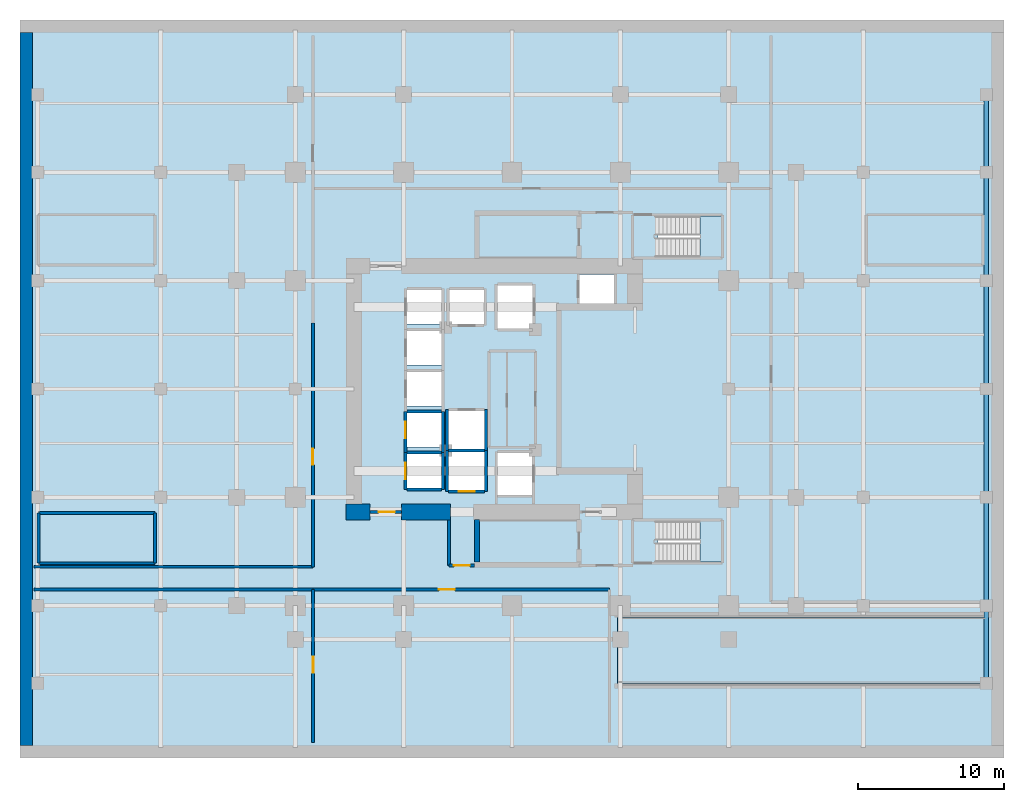
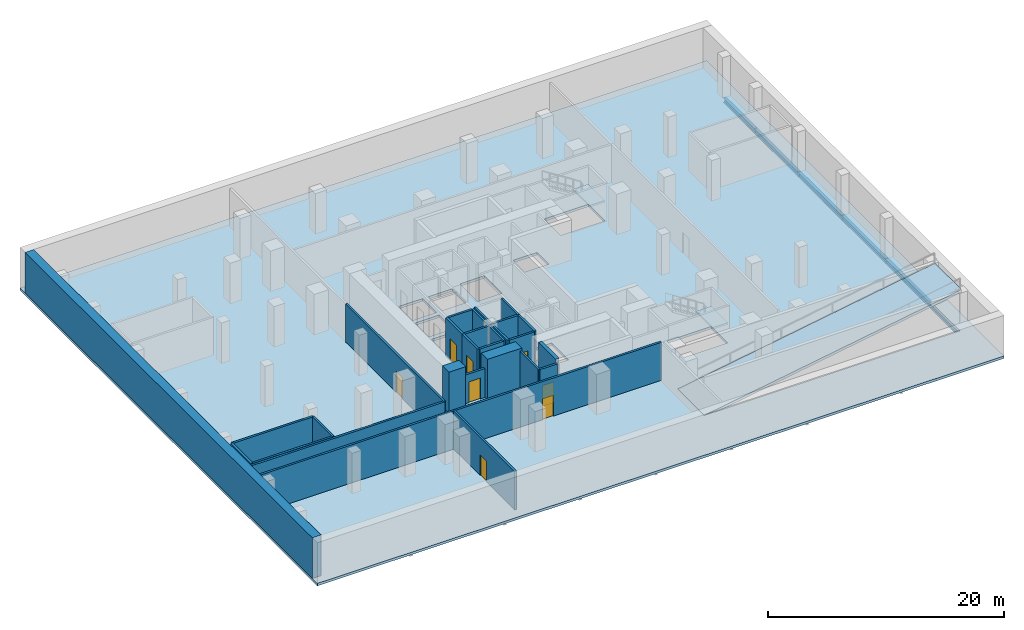
# One storey, part 3 of 7: 29 walls, 8 doors, 6 beams, 4 slabs, 8 openings, 2 elements without a shape of their own.
"""IFC4 building model written with IfcOpenShell, lengths in metres."""

import ifcopenshell
import ifcopenshell.guid

model = None  # the IFC model being written
_history = None  # IfcOwnerHistory: only IFC2X3 demands one
_inside = {}  # id of a spatial element -> (the spatial element, [elements in it])
_under = {}  # id of a project, library or spatial element -> (it, [spatial elements below it])
_declared = {}  # id of a project -> (the project, [libraries it declares])
_typed = {}  # id of a type object -> (the type object, [elements of that type])
_made_of = {}  # id of a material, layer set ... -> (it, [elements and type objects made of it])


def new_model(schema):
    """Start an empty IFC model of exactly this schema.

    Asked for "IFC4X3", IfcOpenShell would pick the latest addendum, in which some entities
    have other attributes; the version numbers below select the first issue.
    IFC2X3 requires an IfcOwnerHistory on every rooted entity: one is made here for all.
    """
    global model, _history
    if schema == "IFC4X3":
        model = ifcopenshell.file(schema_version=(4, 3, 0, 0))
    else:
        model = ifcopenshell.file(schema=schema)
    _inside.clear()
    _under.clear()
    _declared.clear()
    _typed.clear()
    _made_of.clear()
    _history = None
    if model.schema == "IFC2X3":
        org = make("IfcOrganization", Name="unknown")
        user = make(
            "IfcPersonAndOrganization",
            ThePerson=make("IfcPerson", FamilyName="unknown"),
            TheOrganization=org,
        )
        app = make(
            "IfcApplication",
            ApplicationDeveloper=org,
            Version="unknown",
            ApplicationFullName="unknown",
            ApplicationIdentifier="unknown",
        )
        _history = make(
            "IfcOwnerHistory",
            OwningUser=user,
            OwningApplication=app,
            ChangeAction="ADDED",
            CreationDate=0,
        )
    return model


def make(cls, **values):
    """One entity of the class cls with the attributes given. An attribute that is None is left unset."""
    return model.create_entity(
        cls, **{name: value for name, value in values.items() if value is not None}
    )


def rooted(cls, **values):
    """An entity with a GlobalId (a new one), such as an element, a storey or a relation."""
    return make(cls, GlobalId=ifcopenshell.guid.new(), OwnerHistory=_history, **values)


def si_unit(unit_type, name, prefix=None):
    """IfcSIUnit, for example si_unit("LENGTHUNIT", "METRE", prefix="MILLI")."""
    return make("IfcSIUnit", UnitType=unit_type, Prefix=prefix, Name=name)


def assignment(units):
    """IfcUnitAssignment: the units of a project."""
    return None if units is None else make("IfcUnitAssignment", Units=units)


def point(xyz):
    """IfcCartesianPoint."""
    return None if xyz is None else make("IfcCartesianPoint", Coordinates=xyz)


def direction(xyz):
    """IfcDirection."""
    return None if xyz is None else make("IfcDirection", DirectionRatios=xyz)


def frame(location, z_axis=None, x_axis=None):
    """IfcAxis2Placement3D, a coordinate frame: its origin and axes. An axis left out is left unset."""
    return make(
        "IfcAxis2Placement3D",
        Location=point(location),
        Axis=direction(z_axis),
        RefDirection=direction(x_axis),
    )


def frame_2d(location, x_axis=None):
    """IfcAxis2Placement2D, a coordinate frame in the plane: its origin and x axis."""
    return make(
        "IfcAxis2Placement2D", Location=point(location), RefDirection=direction(x_axis)
    )


def origin():
    """The frame at (0, 0, 0) with its axes left unset."""
    return frame((0.0, 0.0, 0.0))


def origin_2d():
    """The frame at (0, 0) in the plane with its x axis left unset."""
    return frame_2d((0.0, 0.0))


def place(relative_to, where):
    """IfcLocalPlacement: puts the frame where relative to a parent placement (None: the world)."""
    return make(
        "IfcLocalPlacement", PlacementRelTo=relative_to, RelativePlacement=where
    )


def context(
    kind, dimensions, precision=None, world=None, true_north=None, identifier=None
):
    """IfcGeometricRepresentationContext, for example the 3D "Model" context."""
    return make(
        "IfcGeometricRepresentationContext",
        ContextIdentifier=identifier,
        ContextType=kind,
        CoordinateSpaceDimension=dimensions,
        Precision=precision,
        WorldCoordinateSystem=world,
        TrueNorth=true_north,
    )


def subcontext(parent, identifier, kind, view, scale=None):
    """IfcGeometricRepresentationSubContext, for example "Body" below "Model"."""
    return make(
        "IfcGeometricRepresentationSubContext",
        ContextIdentifier=identifier,
        ContextType=kind,
        ParentContext=parent,
        TargetScale=scale,
        TargetView=view,
    )


def project(units=None, contexts=None):
    """IfcProject with its units and contexts."""
    return rooted(
        "IfcProject",
        Name="project",
        RepresentationContexts=contexts,
        UnitsInContext=assignment(units),
    )


def spatial(cls, under=None, at=None, **own):
    """A site, building, storey or space (cls), placed at a placement, below another one or the project."""
    s = rooted(cls, ObjectPlacement=at, **own)
    if under is not None:
        _under.setdefault(under.id(), (under, []))[1].append(s)
    return s


def polyline(points):
    """IfcPolyline through the points."""
    return make("IfcPolyline", Points=[point(p) for p in points])


def profile(cls, at=None, kind="AREA", **sizes):
    """A parametric profile (cls). Its sizes go by their IFC names, for example OverallWidth=200.0."""
    return make(cls, ProfileType=kind, Position=at, **sizes)


def rectangle(**sizes):
    """IfcRectangleProfileDef."""
    return profile("IfcRectangleProfileDef", **sizes)


def i_section(**sizes):
    """IfcIShapeProfileDef."""
    return profile("IfcIShapeProfileDef", **sizes)


def outline(outer, holes=None, kind="AREA"):
    """IfcArbitraryClosedProfileDef: a profile drawn as a closed curve; with holes, ...WithVoids."""
    if holes is None:
        return make("IfcArbitraryClosedProfileDef", ProfileType=kind, OuterCurve=outer)
    return make(
        "IfcArbitraryProfileDefWithVoids",
        ProfileType=kind,
        OuterCurve=outer,
        InnerCurves=holes,
    )


def extrude(swept, where, along, depth):
    """IfcExtrudedAreaSolid: the profile swept, set in the frame where, extruded along a direction by depth."""
    return make(
        "IfcExtrudedAreaSolid",
        SweptArea=swept,
        Position=where,
        ExtrudedDirection=direction(along),
        Depth=depth,
    )


def shape(context_of_items, identifier, shape_type, items):
    """IfcShapeRepresentation: the items that make up one representation, for example the "Body"."""
    return make(
        "IfcShapeRepresentation",
        ContextOfItems=context_of_items,
        RepresentationIdentifier=identifier,
        RepresentationType=shape_type,
        Items=items,
    )


def material(Name=None, Category=None):
    """IfcMaterial."""
    return make("IfcMaterial", Name=Name, Category=Category)


def layer(
    of_material, thickness, ventilated=None, Name=None, Category=None, Priority=None
):
    """IfcMaterialLayer: one layer of a wall or slab, of a material (None: an air gap)."""
    return make(
        "IfcMaterialLayer",
        Material=of_material,
        LayerThickness=thickness,
        IsVentilated=ventilated,
        Name=Name,
        Category=Category,
        Priority=Priority,
    )


def layer_set(layers, Name=None):
    """IfcMaterialLayerSet."""
    return make("IfcMaterialLayerSet", MaterialLayers=layers, LayerSetName=Name)


def material_profile(
    of_material, cross_section, Name=None, Category=None, Priority=None
):
    """IfcMaterialProfile: a cross section and its material."""
    return make(
        "IfcMaterialProfile",
        Name=Name,
        Material=of_material,
        Profile=cross_section,
        Priority=Priority,
        Category=Category,
    )


def profile_set(profiles, Name=None, composite=None):
    """IfcMaterialProfileSet."""
    return make(
        "IfcMaterialProfileSet",
        Name=Name,
        MaterialProfiles=profiles,
        CompositeProfile=composite,
    )


def made_of(thing, what):
    """Note that an element or type object is made of a material, layer set ...; save() writes the relation."""
    if what is not None:
        _made_of.setdefault(what.id(), (what, []))[1].append(thing)
    return thing


def type_object(cls, material=None, **own):
    """A type object (cls), such as IfcWallType, which elements share."""
    return made_of(rooted(cls, **own), material)


def element(
    cls,
    number,
    at=None,
    inside=None,
    cuts=None,
    type_object=None,
    material=None,
    context=None,
    identifier="Body",
    shape_type=None,
    held_by="IfcProductDefinitionShape",
    body=None,
    shapes=None,
    **own,
):
    """One element of the class cls, such as IfcWall. Its Tag is "e" and its number.

    at: its placement. inside: the storey or other place that contains it. cuts: it is an
    opening in that element (IfcRelVoidsElement). A single representation is given by context,
    identifier, shape_type and body (its items); several are given by shapes. held_by: the class
    of the entity that holds the representations. save() writes the other relations.
    """
    e = rooted(cls, Tag="e%d" % number, ObjectPlacement=at, **own)
    if body is not None:
        shapes = [shape(context, identifier, shape_type, body)]
    if shapes is not None:
        e.Representation = make(held_by, Representations=shapes)
    if inside is not None:
        _inside.setdefault(inside.id(), (inside, []))[1].append(e)
    if cuts is not None:
        rooted(
            "IfcRelVoidsElement", RelatingBuildingElement=cuts, RelatedOpeningElement=e
        )
    if type_object is not None:
        _typed.setdefault(type_object.id(), (type_object, []))[1].append(e)
    return made_of(e, material)


def fill(opening, filler):
    """IfcRelFillsElement: the door or window that sits in an opening."""
    return rooted(
        "IfcRelFillsElement",
        RelatingOpeningElement=opening,
        RelatedBuildingElement=filler,
    )


def aggregate(whole, parts):
    """IfcRelAggregates: a whole, such as a stair, and the parts it consists of."""
    return rooted("IfcRelAggregates", RelatingObject=whole, RelatedObjects=parts)


def save(model, path):
    """Write the relations noted so far, then the file.

    IfcRelAggregates (storeys below a building ...), IfcRelContainedInSpatialStructure (elements
    in a storey), IfcRelDefinesByType, IfcRelAssociatesMaterial and IfcRelDeclares: one each for
    every whole, place, type object, material and project.
    """
    for whole, parts in _under.values():
        aggregate(whole, parts)
    for where, things in _inside.values():
        rooted(
            "IfcRelContainedInSpatialStructure",
            RelatedElements=things,
            RelatingStructure=where,
        )
    for kind, things in _typed.values():
        rooted("IfcRelDefinesByType", RelatedObjects=things, RelatingType=kind)
    for what, things in _made_of.values():
        rooted("IfcRelAssociatesMaterial", RelatedObjects=things, RelatingMaterial=what)
    for by, libraries in _declared.values():
        rooted("IfcRelDeclares", RelatingContext=by, RelatedDefinitions=libraries)
    model.write(path)


model = new_model("IFC4")

# Units and contexts
model_context = context("Model", 3, precision=1e-05, world=origin(), true_north=direction((0.0, 1.0)))
body_context = subcontext(model_context, "Body", "Model", "MODEL_VIEW")
ifc_project = project(units=[si_unit("LENGTHUNIT", "METRE"), si_unit("AREAUNIT", "SQUARE_METRE"), si_unit("VOLUMEUNIT", "CUBIC_METRE"), si_unit("PLANEANGLEUNIT", "RADIAN"), si_unit("MASSUNIT", "GRAM", prefix="KILO")], contexts=[model_context])

# Site, building, storey
site_placement = place(None, origin())
site = spatial("IfcSite", under=ifc_project, at=site_placement, CompositionType="ELEMENT")
building_placement = place(site_placement, origin())
building = spatial("IfcBuilding", under=site, at=building_placement, Name="Khorvyn Point Tower", CompositionType="ELEMENT")
storey_placement = place(building_placement, frame((0.0, 0.0, -8.39990234375)))
storey = spatial("IfcBuildingStorey", under=building, at=storey_placement, Name="B2", CompositionType="ELEMENT", Elevation=-8.39990234375)

# Beams
ifc_material_1 = material(Name="Steel S355", Category="steel")
ifc_material_profile = material_profile(ifc_material_1, i_section(OverallWidth=0.300048828125, OverallDepth=0.488037109375, WebThickness=0.010986328125, FlangeThickness=0.01806640625, at=origin_2d()))
ifc_profile_set = profile_set([ifc_material_profile], Name="Steel S355 H488x300x11x18")
beam_type = type_object("IfcBeamType", Name="Steel S355 Spandrel H488x300x11x18", PredefinedType="SPANDREL", material=ifc_profile_set)
beam_1_placement = place(storey_placement, frame((32.39990234375, -20.10009765625, -0.5390625), z_axis=(0.0, 1.0, 0.0), x_axis=(-1.0, 0.0, 0.0)))
element("IfcBeam", 1, at=beam_1_placement, inside=storey, type_object=beam_type, Name="Beam", PredefinedType="SPANDREL", context=body_context, shape_type="SweptSolid", body=[
    extrude(i_section(OverallWidth=0.300048828125, OverallDepth=0.488037109375, WebThickness=0.010986328125, FlangeThickness=0.01806640625, at=origin_2d()), origin(), (0.0, 0.0, 1.0), 5.300048828125),
])
beam_2_placement = place(storey_placement, frame((32.39990234375, -14.800048828125, -0.504150390625), z_axis=(0.0, 1.0, 0.0), x_axis=(-1.0, 0.0, 0.0)))
element("IfcBeam", 2, at=beam_2_placement, inside=storey, type_object=beam_type, Name="Beam", PredefinedType="SPANDREL", context=body_context, shape_type="SweptSolid", body=[
    extrude(i_section(OverallWidth=0.300048828125, OverallDepth=0.488037109375, WebThickness=0.010986328125, FlangeThickness=0.01806640625, at=origin_2d()), origin(), (0.0, 0.0, 1.0), 7.400146484375),
])
for number, where, z_axis, x_axis, name in (
    (3, (32.39990234375, -7.39990234375, -0.504150390625), (0.0, 1.0, 0.0), (-1.0, 0.0, 0.0), "Beam"),
    (4, (32.39990234375, 0.0, -0.504150390625), (0.0, 1.0, 0.0), (-1.0, 0.0, 0.0), "Beam"),
):
    element("IfcBeam", number, at=place(storey_placement, frame(where, z_axis=z_axis, x_axis=x_axis)), inside=storey, type_object=beam_type, Name=name, PredefinedType="SPANDREL", context=body_context, shape_type="SweptSolid", body=[
        extrude(i_section(OverallWidth=0.300048828125, OverallDepth=0.488037109375, WebThickness=0.010986328125, FlangeThickness=0.01806640625, at=origin_2d()), origin(), (0.0, 0.0, 1.0), 7.39990234375),
    ])
beam_3_placement = place(storey_placement, frame((32.39990234375, 7.39990234375, -0.504150390625), z_axis=(0.0, 1.0, 0.0), x_axis=(-1.0, 0.0, 0.0)))
element("IfcBeam", 5, at=beam_3_placement, inside=storey, type_object=beam_type, Name="Beam", PredefinedType="SPANDREL", context=body_context, shape_type="SweptSolid", body=[
    extrude(i_section(OverallWidth=0.300048828125, OverallDepth=0.488037109375, WebThickness=0.010986328125, FlangeThickness=0.01806640625, at=origin_2d()), origin(), (0.0, 0.0, 1.0), 7.400146484375),
])
beam_4_placement = place(storey_placement, frame((32.39990234375, 14.800048828125, -0.504150390625), z_axis=(0.0, 1.0, 0.0), x_axis=(-1.0, 0.0, 0.0)))
element("IfcBeam", 6, at=beam_4_placement, inside=storey, type_object=beam_type, Name="Beam", PredefinedType="SPANDREL", context=body_context, shape_type="SweptSolid", body=[
    extrude(i_section(OverallWidth=0.300048828125, OverallDepth=0.488037109375, WebThickness=0.010986328125, FlangeThickness=0.01806640625, at=origin_2d()), origin(), (0.0, 0.0, 1.0), 5.300048828125),
])

# Slab
ifc_material_2 = material(Name="Concrete C35/45", Category="concrete")
ifc_layer_1 = layer(ifc_material_2, 0.260009765625)
ifc_layer_set_1 = layer_set([ifc_layer_1], Name="Concrete C35/45 Structural Floor Slab 260")
slab_type_1 = type_object("IfcSlabType", Name="Concrete C35/45 Structural Floor Slab 260", PredefinedType="FLOOR", material=ifc_layer_set_1)
slab_1_placement = place(storey_placement, frame((0.0, 0.0, -0.260009765625)))
element("IfcSlab", 7, at=slab_1_placement, inside=storey, type_object=slab_type_1, Name="B2 Main Structural Floor Slab", PredefinedType="FLOOR", context=body_context, shape_type="SweptSolid", body=[
    extrude(outline(polyline([(-33.60009765625, 25.199951171875), (33.60009765625, 25.199951171875), (33.60009765625, -25.199951171875), (-33.60009765625, -25.199951171875), (-33.60009765625, 25.199951171875)]), holes=[polyline([(-4.824951171875, -6.77490234375), (-4.824951171875, -4.425048828125), (-7.175048828125, -4.425048828125), (-7.175048828125, -6.77490234375), (-4.824951171875, -6.77490234375)]), polyline([(-4.324951171875, -6.89990234375), (-1.875, -6.89990234375), (-1.875, -4.300048828125), (-4.324951171875, -4.300048828125), (-4.324951171875, -6.89990234375)]), polyline([(-7.175048828125, -3.97509765625), (-4.824951171875, -3.97509765625), (-4.824951171875, -1.625), (-7.175048828125, -1.625), (-7.175048828125, -3.97509765625)]), polyline([(-7.175048828125, -1.175048828125), (-4.824951171875, -1.175048828125), (-4.824951171875, 1.175048828125), (-7.175048828125, 1.175048828125), (-7.175048828125, -1.175048828125)]), polyline([(-7.175048828125, 1.625), (-4.824951171875, 1.625), (-4.824951171875, 3.97509765625), (-7.175048828125, 3.97509765625), (-7.175048828125, 1.625)]), polyline([(-7.175048828125, 4.425048828125), (-4.824951171875, 4.425048828125), (-4.824951171875, 6.77490234375), (-7.175048828125, 6.77490234375), (-7.175048828125, 4.425048828125)]), polyline([(-4.27490234375, 4.425048828125), (-1.925048828125, 4.425048828125), (-1.925048828125, 6.77490234375), (-4.27490234375, 6.77490234375), (-4.27490234375, 4.425048828125)]), polyline([(32.219970703125, -20.10009765625), (32.219970703125, -15.60009765625), (7.39990234375, -15.60009765625), (7.39990234375, -20.10009765625), (32.219970703125, -20.10009765625)]), polyline([(9.969970703125, -11.820068359375), (14.300048828125, -11.820068359375), (14.300048828125, -9.02001953125), (9.969970703125, -9.02001953125), (9.969970703125, -11.820068359375)]), polyline([(-0.97509765625, -7.22509765625), (1.375, -7.22509765625), (1.375, -4.375), (-0.97509765625, -4.375), (-0.97509765625, -7.22509765625)]), polyline([(-4.324951171875, -4.10009765625), (-1.875, -4.10009765625), (-1.875, -1.5), (-4.324951171875, -1.5), (-4.324951171875, -4.10009765625)]), polyline([(-1.0, 4.125), (1.39990234375, 4.125), (1.39990234375, 7.074951171875), (-1.0, 7.074951171875), (-1.0, 4.125)]), polyline([(4.625, 5.85009765625), (6.97509765625, 5.85009765625), (6.97509765625, 7.830078125), (4.625, 7.830078125), (4.625, 5.85009765625)]), polyline([(9.969970703125, 9.02001953125), (14.300048828125, 9.02001953125), (14.300048828125, 11.820068359375), (9.969970703125, 11.820068359375), (9.969970703125, 9.02001953125)])]), origin(), (0.0, 0.0, 1.0), 0.260009765625),
])

# Stair, slab
ifc_material_3 = material(Name="Concrete C40/50", Category="concrete")
stair_type = type_object("IfcStairType", Name="Tower Concrete C40/50 Dogleg Exit Stair", PredefinedType="HALF_TURN_STAIR", material=ifc_material_3)
stair_1_placement = place(storey_placement, origin())
stair_1 = element("IfcStair", 8, at=stair_1_placement, inside=storey, type_object=stair_type, Name="B2 Basement Garage Smokeproof Stair South", PredefinedType="HALF_TURN_STAIR")
ifc_layer_2 = layer(ifc_material_3, 0.199951171875)
ifc_layer_set_2 = layer_set([ifc_layer_2], Name="Concrete C40/50 Stair Landing Slab 200")
slab_type_2 = type_object("IfcSlabType", Name="Concrete C40/50 Stair Landing Slab 200", PredefinedType="LANDING", material=ifc_layer_set_2)
slab_2_placement = place(storey_placement, frame((0.0, 0.0, 1.89990234375)))
slab_2 = element("IfcSlab", 9, at=slab_2_placement, type_object=slab_type_2, Name="ST-B1 landing 1", PredefinedType="LANDING", context=body_context, shape_type="SweptSolid", body=[
    extrude(outline(polyline([(12.830078125, -11.820068359375), (14.300048828125, -11.820068359375), (14.300048828125, -9.02001953125), (12.830078125, -9.02001953125), (12.830078125, -11.820068359375)])), origin(), (0.0, 0.0, 1.0), 0.199951171875),
])
aggregate(stair_1, [slab_2])

stair_2_placement = place(storey_placement, origin())
stair_2 = element("IfcStair", 10, at=stair_2_placement, inside=storey, type_object=stair_type, Name="B2 Basement Garage Smokeproof Stair North", PredefinedType="HALF_TURN_STAIR")
slab_3_placement = place(storey_placement, frame((0.0, 0.0, 1.89990234375)))
slab_3 = element("IfcSlab", 11, at=slab_3_placement, type_object=slab_type_2, Name="ST-B2 landing 1", PredefinedType="LANDING", context=body_context, shape_type="SweptSolid", body=[
    extrude(outline(polyline([(12.830078125, 9.02001953125), (14.300048828125, 9.02001953125), (14.300048828125, 11.820068359375), (12.830078125, 11.820068359375), (12.830078125, 9.02001953125)])), origin(), (0.0, 0.0, 1.0), 0.199951171875),
])
aggregate(stair_2, [slab_3])

# Slab
ifc_layer_3 = layer(ifc_material_3, 0.280029296875)
ifc_layer_set_3 = layer_set([ifc_layer_3], Name="Concrete C40/50 Vehicle Ramp Slab 280")
slab_type_3 = type_object("IfcSlabType", Name="Concrete C40/50 Vehicle Ramp Slab 280", PredefinedType="FLOOR", material=ifc_layer_set_3)
slab_4_placement = place(storey_placement, frame((7.199951171875, -20.10009765625, 0.0), z_axis=(-0.164397437631, 0.0, 0.98639418211), x_axis=(0.98639418211, 0.0, 0.164397437631)))
element("IfcSlab", 12, at=slab_4_placement, inside=storey, type_object=slab_type_3, Name="Basement Vehicle Ramp B2 to B1", PredefinedType="FLOOR", context=body_context, shape_type="SweptSolid", body=[
    extrude(outline(polyline([(0.0, 0.0), (25.547546436223936, 0.0), (25.547546436223936, 4.500000000000001), (0.0, 4.500000000000001), (0.0, 0.0)])), origin(), (0.0, 0.0, -1.0), 0.280029296875),
])

# Wall
ifc_layer_4 = layer(ifc_material_2, 0.85009765625)
ifc_layer_set_4 = layer_set([ifc_layer_4], Name="Concrete C35/45 Basement Retaining Wall 850")
wall_type_1 = type_object("IfcWallType", Name="Concrete C35/45 Basement Retaining Wall 850", PredefinedType="SOLIDWALL", material=ifc_layer_set_4)
wall_1_placement = place(storey_placement, frame((-33.175048828125, -24.35009765625, 0.0), z_axis=(0.0, 0.0, 1.0), x_axis=(0.0, 1.0, 0.0)))
element("IfcWall", 13, at=wall_1_placement, inside=storey, type_object=wall_type_1, Name="B2 Basement Retaining Wall W", PredefinedType="SOLIDWALL", context=body_context, shape_type="SweptSolid", body=[
    extrude(rectangle(XDim=48.7001953125, YDim=0.85009765625, at=frame_2d((24.35009765625, 0.0))), origin(), (0.0, 0.0, 1.0), 4.199951171875),
])

# Wall, opening, door
ifc_material_4 = material(Name="Concrete C35/45 masonry blockwork", Category="masonry")
ifc_layer_5 = layer(ifc_material_4, 0.199951171875)
ifc_layer_set_5 = layer_set([ifc_layer_5], Name="Concrete C35/45 Blockwork Plant Compartment Wall 200")
wall_type_2 = type_object("IfcWallType", Name="Concrete C35/45 Blockwork Plant Compartment Wall 200", PredefinedType="SOLIDWALL", material=ifc_layer_set_5)
wall_2_placement = place(storey_placement, frame((-13.60009765625, -12.139892578125, 0.0), z_axis=(0.0, 0.0, 1.0), x_axis=(0.0, 1.0, 0.0)))
wall_2 = element("IfcWall", 14, at=wall_2_placement, inside=storey, type_object=wall_type_2, Name="Wall", PredefinedType="SOLIDWALL", context=body_context, shape_type="SweptSolid", body=[
    extrude(rectangle(XDim=16.639892578125, YDim=0.199951171875, at=frame_2d((8.31982421875, 0.0))), origin(), (0.0, 0.0, 1.0), 3.93994140625),
])
opening_1_placement = place(wall_2_placement, frame((6.964111328125, 0.0, 0.0)))
opening_1 = element("IfcOpeningElement", 15, at=opening_1_placement, cuts=wall_2, Name="Opening ID-FL90", PredefinedType="OPENING", context=body_context, shape_type="SweptSolid", body=[
    extrude(rectangle(XDim=1.10009765625, YDim=2.14990234375, at=frame_2d((0.550048828125, 1.074951171875))), frame((0.0, 0.10986328125, 0.0), z_axis=(0.0, -1.0, 0.0), x_axis=(1.0, 0.0, 0.0)), (0.0, 0.0, 1.0), 0.219970703125),
])
ifc_material_5 = material(Name="Galvanised powder-coated steel", Category="steel")
door_type_1 = type_object("IfcDoorType", Name="Fire-Rated Steel Lobby and Stair Door 1100x2150", OperationType="NOTDEFINED", PredefinedType="DOOR", material=ifc_material_5)
door_1_placement = place(opening_1_placement, origin())
door_1 = element("IfcDoor", 16, at=door_1_placement, inside=storey, type_object=door_type_1, Name="Door", OperationType="SINGLE_SWING_RIGHT", OverallHeight=2.14990234375, OverallWidth=1.10009765625, PredefinedType="DOOR", context=body_context, shape_type="SweptSolid", body=[
    extrude(rectangle(XDim=1.10009765625, YDim=2.14990234375, at=frame_2d((0.550048828125, 1.074951171875))), frame((0.0, 0.02490234375, 0.0), z_axis=(0.0, -1.0, 0.0), x_axis=(1.0, 0.0, 0.0)), (0.0, 0.0, 1.0), 0.050048828125),
])
fill(opening_1, door_1)

wall_3_placement = place(storey_placement, frame((-13.580078125, -24.14990234375, 0.0), z_axis=(0.0, 0.0, 1.0), x_axis=(0.0, 1.0, 0.0)))
wall_3 = element("IfcWall", 17, at=wall_3_placement, inside=storey, type_object=wall_type_2, Name="Wall", PredefinedType="SOLIDWALL", context=body_context, shape_type="SweptSolid", body=[
    extrude(rectangle(XDim=10.449951171875, YDim=0.199951171875, at=frame_2d((5.22509765625, 0.0))), origin(), (0.0, 0.0, 1.0), 3.93994140625),
])
opening_2_placement = place(wall_3_placement, frame((4.763427734375, 0.0, 0.0)))
opening_2 = element("IfcOpeningElement", 18, at=opening_2_placement, cuts=wall_3, Name="Opening ID-FL90", PredefinedType="OPENING", context=body_context, shape_type="SweptSolid", body=[
    extrude(rectangle(XDim=1.10009765625, YDim=2.14990234375, at=frame_2d((0.550048828125, 1.074951171875))), frame((0.0, 0.10986328125, 0.0), z_axis=(0.0, -1.0, 0.0), x_axis=(1.0, 0.0, 0.0)), (0.0, 0.0, 1.0), 0.219970703125),
])
door_2_placement = place(opening_2_placement, origin())
door_2 = element("IfcDoor", 19, at=door_2_placement, inside=storey, type_object=door_type_1, Name="Door", OperationType="SINGLE_SWING_RIGHT", OverallHeight=2.14990234375, OverallWidth=1.10009765625, PredefinedType="DOOR", context=body_context, shape_type="SweptSolid", body=[
    extrude(rectangle(XDim=1.10009765625, YDim=2.14990234375, at=frame_2d((0.550048828125, 1.074951171875))), frame((0.0, 0.02490234375, 0.0), z_axis=(0.0, -1.0, 0.0), x_axis=(1.0, 0.0, 0.0)), (0.0, 0.0, 1.0), 0.050048828125),
])
fill(opening_2, door_2)

wall_4_placement = place(storey_placement, frame((-13.580078125, -13.699951171875, 0.0), z_axis=(0.0, 0.0, 1.0), x_axis=(1.0, 0.0, 0.0)))
wall_4 = element("IfcWall", 20, at=wall_4_placement, inside=storey, type_object=wall_type_2, Name="Wall", PredefinedType="SOLIDWALL", context=body_context, shape_type="SweptSolid", body=[
    extrude(rectangle(XDim=20.22998046875, YDim=0.199951171875, at=frame_2d((10.114990234375, 0.0))), origin(), (0.0, 0.0, 1.0), 3.93994140625),
])
opening_3_placement = place(wall_4_placement, frame((8.57958984375, 0.0, 0.0)))
opening_3 = element("IfcOpeningElement", 21, at=opening_3_placement, cuts=wall_4, Name="Opening ID-FL90", PredefinedType="OPENING", context=body_context, shape_type="SweptSolid", body=[
    extrude(rectangle(XDim=1.10009765625, YDim=2.14990234375, at=frame_2d((0.550048828125, 1.074951171875))), frame((0.0, 0.10986328125, 0.0), z_axis=(0.0, -1.0, 0.0), x_axis=(1.0, 0.0, 0.0)), (0.0, 0.0, 1.0), 0.219970703125),
])
door_3_placement = place(opening_3_placement, origin())
door_3 = element("IfcDoor", 22, at=door_3_placement, inside=storey, type_object=door_type_1, Name="Door", OperationType="SINGLE_SWING_LEFT", OverallHeight=2.14990234375, OverallWidth=1.10009765625, PredefinedType="DOOR", context=body_context, shape_type="SweptSolid", body=[
    extrude(rectangle(XDim=1.10009765625, YDim=2.14990234375, at=frame_2d((0.550048828125, 1.074951171875))), frame((0.0, 0.02490234375, 0.0), z_axis=(0.0, -1.0, 0.0), x_axis=(1.0, 0.0, 0.0)), (0.0, 0.0, 1.0), 0.050048828125),
])
fill(opening_3, door_3)

# Walls
wall_5_placement = place(storey_placement, frame((-32.64990234375, -12.139892578125, 0.0), z_axis=(0.0, 0.0, 1.0), x_axis=(1.0, 0.0, 0.0)))
element("IfcWall", 23, at=wall_5_placement, inside=storey, type_object=wall_type_2, Name="Wall", PredefinedType="SOLIDWALL", context=body_context, shape_type="SweptSolid", body=[
    extrude(rectangle(XDim=19.0498046875, YDim=0.199951171875, at=frame_2d((9.52490234375, 0.0))), origin(), (0.0, 0.0, 1.0), 3.93994140625),
])
wall_6_placement = place(storey_placement, frame((-32.64990234375, -13.699951171875, 0.0), z_axis=(0.0, 0.0, 1.0), x_axis=(1.0, 0.0, 0.0)))
element("IfcWall", 24, at=wall_6_placement, inside=storey, type_object=wall_type_2, Name="Wall", PredefinedType="SOLIDWALL", context=body_context, shape_type="SweptSolid", body=[
    extrude(rectangle(XDim=19.06982421875, YDim=0.199951171875, at=frame_2d((9.534912109375, 0.0))), origin(), (0.0, 0.0, 1.0), 3.93994140625),
])

# Wall, opening, door
ifc_layer_6 = layer(ifc_material_3, 0.199951171875)
ifc_layer_set_6 = layer_set([ifc_layer_6], Name="Concrete C40/50 Fire-Lobby Compartment Wall 200")
wall_type_3 = type_object("IfcWallType", Name="Concrete C40/50 Fire-Lobby Compartment Wall 200", PredefinedType="SOLIDWALL", material=ifc_layer_set_6)
wall_7_placement = place(storey_placement, frame((-9.699951171875, -8.39990234375, 0.0), z_axis=(0.0, 0.0, 1.0), x_axis=(1.0, 0.0, 0.0)))
wall_7 = element("IfcWall", 25, at=wall_7_placement, inside=storey, type_object=wall_type_3, Name="Wall", PredefinedType="SOLIDWALL", context=body_context, shape_type="SweptSolid", body=[
    extrude(rectangle(XDim=2.14990234375, YDim=0.199951171875, at=frame_2d((1.074951171875, 0.0))), origin(), (0.0, 0.0, 1.0), 2.97998046875),
])
opening_4_placement = place(wall_7_placement, frame((0.597900390625, 0.0, 0.0)))
opening_4 = element("IfcOpeningElement", 26, at=opening_4_placement, cuts=wall_7, Name="Opening ID-FL90", PredefinedType="OPENING", context=body_context, shape_type="SweptSolid", body=[
    extrude(rectangle(XDim=1.10009765625, YDim=2.14990234375, at=frame_2d((0.550048828125, 1.074951171875))), frame((0.0, 0.10986328125, 0.0), z_axis=(0.0, -1.0, 0.0), x_axis=(1.0, 0.0, 0.0)), (0.0, 0.0, 1.0), 0.219970703125),
])
door_4_placement = place(opening_4_placement, origin())
door_4 = element("IfcDoor", 27, at=door_4_placement, inside=storey, type_object=door_type_1, Name="Door", OperationType="SINGLE_SWING_LEFT", OverallHeight=2.14990234375, OverallWidth=1.10009765625, PredefinedType="DOOR", context=body_context, shape_type="SweptSolid", body=[
    extrude(rectangle(XDim=1.10009765625, YDim=2.14990234375, at=frame_2d((0.550048828125, 1.074951171875))), frame((0.0, 0.02490234375, 0.0), z_axis=(0.0, -1.0, 0.0), x_axis=(1.0, 0.0, 0.0)), (0.0, 0.0, 1.0), 0.050048828125),
])
fill(opening_4, door_4)

wall_8_placement = place(storey_placement, frame((-4.300048828125, -12.06005859375, 0.0), z_axis=(0.0, 0.0, 1.0), x_axis=(1.0, 0.0, 0.0)))
wall_8 = element("IfcWall", 28, at=wall_8_placement, inside=storey, type_object=wall_type_3, Name="Wall", PredefinedType="SOLIDWALL", context=body_context, shape_type="SweptSolid", body=[
    extrude(rectangle(XDim=1.75, YDim=0.199951171875, at=frame_2d((0.875, 0.0))), origin(), (0.0, 0.0, 1.0), 3.93994140625),
])
opening_5_placement = place(wall_8_placement, frame((0.324951171875, 0.0, 0.0)))
opening_5 = element("IfcOpeningElement", 29, at=opening_5_placement, cuts=wall_8, Name="Opening ID-FL90", PredefinedType="OPENING", context=body_context, shape_type="SweptSolid", body=[
    extrude(rectangle(XDim=1.10009765625, YDim=2.14990234375, at=frame_2d((0.550048828125, 1.074951171875))), frame((0.0, 0.10986328125, 0.0), z_axis=(0.0, -1.0, 0.0), x_axis=(1.0, 0.0, 0.0)), (0.0, 0.0, 1.0), 0.219970703125),
])
door_5_placement = place(opening_5_placement, origin())
door_5 = element("IfcDoor", 30, at=door_5_placement, inside=storey, type_object=door_type_1, Name="Door", OperationType="SINGLE_SWING_LEFT", OverallHeight=2.14990234375, OverallWidth=1.10009765625, PredefinedType="DOOR", context=body_context, shape_type="SweptSolid", body=[
    extrude(rectangle(XDim=1.10009765625, YDim=2.14990234375, at=frame_2d((0.550048828125, 1.074951171875))), frame((0.0, 0.02490234375, 0.0), z_axis=(0.0, -1.0, 0.0), x_axis=(1.0, 0.0, 0.0)), (0.0, 0.0, 1.0), 0.050048828125),
])
fill(opening_5, door_5)

# Walls
wall_9_placement = place(storey_placement, frame((-4.300048828125, -12.06005859375, 0.0), z_axis=(0.0, 0.0, 1.0), x_axis=(0.0, 1.0, 0.0)))
element("IfcWall", 31, at=wall_9_placement, inside=storey, type_object=wall_type_3, Name="Wall", PredefinedType="SOLIDWALL", context=body_context, shape_type="SweptSolid", body=[
    extrude(rectangle(XDim=3.110107421875, YDim=0.199951171875, at=frame_2d((1.55517578125, 0.0))), origin(), (0.0, 0.0, 1.0), 3.93994140625),
])
ifc_layer_7 = layer(ifc_material_3, 0.35009765625)
ifc_layer_set_7 = layer_set([ifc_layer_7], Name="Concrete C40/50 Stair Shaft Structural Wall 350")
wall_type_4 = type_object("IfcWallType", Name="Concrete C40/50 Stair Shaft Structural Wall 350", PredefinedType="SHEAR", material=ifc_layer_set_7)
wall_10_placement = place(storey_placement, frame((-2.3798828125, -11.824951171875, 0.0), z_axis=(0.0, 0.0, 1.0), x_axis=(0.0, 1.0, 0.0)))
element("IfcWall", 32, at=wall_10_placement, inside=storey, type_object=wall_type_4, Name="B2 ST-01 West Shaft Wall", PredefinedType="SHEAR", context=body_context, shape_type="SweptSolid", body=[
    extrude(rectangle(XDim=2.925048828125, YDim=0.35009765625, at=frame_2d((1.46240234375, 0.0))), origin(), (0.0, 0.0, 1.0), 4.199951171875),
])

# Wall, opening, door
ifc_layer_8 = layer(ifc_material_3, 0.199951171875)
ifc_layer_set_8 = layer_set([ifc_layer_8], Name="Concrete C40/50 Structural Hoistway and Stair Shaft Wall 200")
wall_type_5 = type_object("IfcWallType", Name="Concrete C40/50 Structural Hoistway and Stair Shaft Wall 200", PredefinedType="SHEAR", material=ifc_layer_set_8)
wall_11_placement = place(storey_placement, frame((-7.27490234375, -6.875, 0.0), z_axis=(0.0, 0.0, 1.0), x_axis=(0.0, 1.0, 0.0)))
wall_11 = element("IfcWall", 33, at=wall_11_placement, inside=storey, type_object=wall_type_5, Name="Wall", PredefinedType="SHEAR", context=body_context, shape_type="SweptSolid", body=[
    extrude(rectangle(XDim=2.550048828125, YDim=0.199951171875, at=frame_2d((1.27490234375, 0.0))), origin(), (0.0, 0.0, 1.0), 3.93994140625),
])
opening_6_placement = place(wall_11_placement, frame((0.72509765625, 0.0, 0.0)))
opening_6 = element("IfcOpeningElement", 34, at=opening_6_placement, cuts=wall_11, Name="Opening LD-1122", PredefinedType="OPENING", context=body_context, shape_type="SweptSolid", body=[
    extrude(rectangle(XDim=1.10009765625, YDim=2.199951171875, at=frame_2d((0.550048828125, 1.10009765625))), frame((0.0, 0.10986328125, 0.0), z_axis=(0.0, -1.0, 0.0), x_axis=(1.0, 0.0, 0.0)), (0.0, 0.0, 1.0), 0.219970703125),
])
ifc_material_6 = material(Name="Stainless steel 1.4301", Category="steel")
door_type_2 = type_object("IfcDoorType", Name="Stainless Steel Automatic Sliding Lift Landing Door 1100x2200", OperationType="SLIDING_TO_LEFT", PredefinedType="DOOR", material=ifc_material_6)
door_6_placement = place(opening_6_placement, origin())
door_6 = element("IfcDoor", 35, at=door_6_placement, inside=storey, type_object=door_type_2, Name="B2 RL-01 Sliding Lift Landing Door", OperationType="SLIDING_TO_LEFT", OverallHeight=2.199951171875, OverallWidth=1.10009765625, PredefinedType="DOOR", context=body_context, shape_type="SweptSolid", body=[
    extrude(rectangle(XDim=1.10009765625, YDim=2.199951171875, at=frame_2d((0.550048828125, 1.10009765625))), frame((0.0, 0.02490234375, 0.0), z_axis=(0.0, -1.0, 0.0), x_axis=(1.0, 0.0, 0.0)), (0.0, 0.0, 1.0), 0.050048828125),
])
fill(opening_6, door_6)

# Walls
wall_12_placement = place(storey_placement, frame((-4.72509765625, -6.875, 0.0), z_axis=(0.0, 0.0, 1.0), x_axis=(0.0, 1.0, 0.0)))
element("IfcWall", 36, at=wall_12_placement, inside=storey, type_object=wall_type_5, Name="Wall", PredefinedType="SHEAR", context=body_context, shape_type="SweptSolid", body=[
    extrude(rectangle(XDim=2.550048828125, YDim=0.199951171875, at=frame_2d((1.27490234375, 0.0))), origin(), (0.0, 0.0, 1.0), 3.93994140625),
])
for number, where, z_axis, x_axis, name in (
    (37, (-7.175048828125, -6.875, 0.0), (0.0, 0.0, 1.0), (1.0, 0.0, 0.0), "Wall"),
    (38, (-7.175048828125, -4.324951171875, 0.0), (0.0, 0.0, 1.0), (1.0, 0.0, 0.0), "Wall"),
):
    element("IfcWall", number, at=place(storey_placement, frame(where, z_axis=z_axis, x_axis=x_axis)), inside=storey, type_object=wall_type_5, Name=name, PredefinedType="SHEAR", context=body_context, shape_type="SweptSolid", body=[
        extrude(rectangle(XDim=2.35009765625, YDim=0.199951171875, at=frame_2d((1.175048828125, 0.0))), origin(), (0.0, 0.0, 1.0), 3.93994140625),
    ])

# Wall, opening, door
wall_13_placement = place(storey_placement, frame((-7.27490234375, -4.324951171875, 0.0), z_axis=(0.0, 0.0, 1.0), x_axis=(0.0, 1.0, 0.0)))
wall_13 = element("IfcWall", 39, at=wall_13_placement, inside=storey, type_object=wall_type_5, Name="Wall", PredefinedType="SHEAR", context=body_context, shape_type="SweptSolid", body=[
    extrude(rectangle(XDim=2.800048828125, YDim=0.199951171875, at=frame_2d((1.39990234375, 0.0))), origin(), (0.0, 0.0, 1.0), 3.93994140625),
])
opening_7_placement = place(wall_13_placement, frame((0.97509765625, 0.0, 0.0)))
opening_7 = element("IfcOpeningElement", 40, at=opening_7_placement, cuts=wall_13, Name="Opening LD-1122", PredefinedType="OPENING", context=body_context, shape_type="SweptSolid", body=[
    extrude(rectangle(XDim=1.10009765625, YDim=2.199951171875, at=frame_2d((0.550048828125, 1.10009765625))), frame((0.0, 0.10986328125, 0.0), z_axis=(0.0, -1.0, 0.0), x_axis=(1.0, 0.0, 0.0)), (0.0, 0.0, 1.0), 0.219970703125),
])
door_7_placement = place(opening_7_placement, origin())
door_7 = element("IfcDoor", 41, at=door_7_placement, inside=storey, type_object=door_type_2, Name="B2 RL-02 Sliding Lift Landing Door", OperationType="SLIDING_TO_LEFT", OverallHeight=2.199951171875, OverallWidth=1.10009765625, PredefinedType="DOOR", context=body_context, shape_type="SweptSolid", body=[
    extrude(rectangle(XDim=1.10009765625, YDim=2.199951171875, at=frame_2d((0.550048828125, 1.10009765625))), frame((0.0, 0.02490234375, 0.0), z_axis=(0.0, -1.0, 0.0), x_axis=(1.0, 0.0, 0.0)), (0.0, 0.0, 1.0), 0.050048828125),
])
fill(opening_7, door_7)

# Walls
wall_14_placement = place(storey_placement, frame((-4.72509765625, -4.324951171875, 0.0), z_axis=(0.0, 0.0, 1.0), x_axis=(0.0, 1.0, 0.0)))
element("IfcWall", 42, at=wall_14_placement, inside=storey, type_object=wall_type_5, Name="Wall", PredefinedType="SHEAR", context=body_context, shape_type="SweptSolid", body=[
    extrude(rectangle(XDim=2.800048828125, YDim=0.199951171875, at=frame_2d((1.39990234375, 0.0))), origin(), (0.0, 0.0, 1.0), 3.93994140625),
])
wall_15_placement = place(storey_placement, frame((-7.175048828125, -1.52490234375, 0.0), z_axis=(0.0, 0.0, 1.0), x_axis=(1.0, 0.0, 0.0)))
element("IfcWall", 43, at=wall_15_placement, inside=storey, type_object=wall_type_5, Name="Wall", PredefinedType="SHEAR", context=body_context, shape_type="SweptSolid", body=[
    extrude(rectangle(XDim=2.35009765625, YDim=0.199951171875, at=frame_2d((1.175048828125, 0.0))), origin(), (0.0, 0.0, 1.0), 3.93994140625),
])
for number, where, z_axis, x_axis, name in (
    (44, (-4.425048828125, -7.0, 0.0), (0.0, 0.0, 1.0), (0.0, 1.0, 0.0), "Wall"),
    (45, (-1.77490234375, -7.0, 0.0), (0.0, 0.0, 1.0), (0.0, 1.0, 0.0), "Wall"),
):
    element("IfcWall", number, at=place(storey_placement, frame(where, z_axis=z_axis, x_axis=x_axis)), inside=storey, type_object=wall_type_5, Name=name, PredefinedType="SHEAR", context=body_context, shape_type="SweptSolid", body=[
        extrude(rectangle(XDim=2.800048828125, YDim=0.199951171875, at=frame_2d((1.39990234375, 0.0))), origin(), (0.0, 0.0, 1.0), 3.93994140625),
    ])

# Wall, opening, door
wall_16_placement = place(storey_placement, frame((-4.324951171875, -7.0, 0.0), z_axis=(0.0, 0.0, 1.0), x_axis=(1.0, 0.0, 0.0)))
wall_16 = element("IfcWall", 46, at=wall_16_placement, inside=storey, type_object=wall_type_5, Name="Wall", PredefinedType="SHEAR", context=body_context, shape_type="SweptSolid", body=[
    extrude(rectangle(XDim=2.449951171875, YDim=0.199951171875, at=frame_2d((1.22509765625, 0.0))), origin(), (0.0, 0.0, 1.0), 3.93994140625),
])
opening_8_placement = place(wall_16_placement, frame((0.675048828125, 0.0, 0.0)))
opening_8 = element("IfcOpeningElement", 47, at=opening_8_placement, cuts=wall_16, Name="Opening LD-1122", PredefinedType="OPENING", context=body_context, shape_type="SweptSolid", body=[
    extrude(rectangle(XDim=1.10009765625, YDim=2.199951171875, at=frame_2d((0.550048828125, 1.10009765625))), frame((0.0, 0.10986328125, 0.0), z_axis=(0.0, -1.0, 0.0), x_axis=(1.0, 0.0, 0.0)), (0.0, 0.0, 1.0), 0.219970703125),
])
door_8_placement = place(opening_8_placement, origin())
door_8 = element("IfcDoor", 48, at=door_8_placement, inside=storey, type_object=door_type_2, Name="B2 RS-01 Sliding Lift Landing Door", OperationType="SLIDING_TO_LEFT", OverallHeight=2.199951171875, OverallWidth=1.10009765625, PredefinedType="DOOR", context=body_context, shape_type="SweptSolid", body=[
    extrude(rectangle(XDim=1.10009765625, YDim=2.199951171875, at=frame_2d((0.550048828125, 1.10009765625))), frame((0.0, 0.02490234375, 0.0), z_axis=(0.0, -1.0, 0.0), x_axis=(1.0, 0.0, 0.0)), (0.0, 0.0, 1.0), 0.050048828125),
])
fill(opening_8, door_8)

# Walls
wall_17_placement = place(storey_placement, frame((-4.324951171875, -4.199951171875, 0.0), z_axis=(0.0, 0.0, 1.0), x_axis=(1.0, 0.0, 0.0)))
element("IfcWall", 49, at=wall_17_placement, inside=storey, type_object=wall_type_5, Name="Wall", PredefinedType="SHEAR", context=body_context, shape_type="SweptSolid", body=[
    extrude(rectangle(XDim=2.449951171875, YDim=0.199951171875, at=frame_2d((1.22509765625, 0.0))), origin(), (0.0, 0.0, 1.0), 3.93994140625),
])
for number, where, z_axis, x_axis, name in (
    (50, (-4.425048828125, -4.199951171875, 0.0), (0.0, 0.0, 1.0), (0.0, 1.0, 0.0), "Wall"),
    (51, (-1.77490234375, -4.199951171875, 0.0), (0.0, 0.0, 1.0), (0.0, 1.0, 0.0), "Wall"),
):
    element("IfcWall", number, at=place(storey_placement, frame(where, z_axis=z_axis, x_axis=x_axis)), inside=storey, type_object=wall_type_5, Name=name, PredefinedType="SHEAR", context=body_context, shape_type="SweptSolid", body=[
        extrude(rectangle(XDim=2.800048828125, YDim=0.199951171875, at=frame_2d((1.39990234375, 0.0))), origin(), (0.0, 0.0, 1.0), 3.93994140625),
    ])
for number, where, z_axis, x_axis, name in (
    (52, (-32.330078125, -11.89990234375, 0.0), (0.0, 0.0, 1.0), (0.0, 1.0, 0.0), "Wall"),
    (53, (-24.3701171875, -8.47998046875, 0.0), (0.0, 0.0, 1.0), (0.0, -1.0, 0.0), "Wall"),
):
    element("IfcWall", number, at=place(storey_placement, frame(where, z_axis=z_axis, x_axis=x_axis)), inside=storey, type_object=wall_type_5, Name=name, PredefinedType="SHEAR", context=body_context, shape_type="SweptSolid", body=[
        extrude(rectangle(XDim=3.419921875, YDim=0.199951171875, at=frame_2d((1.7099609375, 0.0))), origin(), (0.0, 0.0, 1.0), 3.93994140625),
    ])
for number, where, z_axis, x_axis, name in (
    (54, (-24.3701171875, -11.89990234375, 0.0), (0.0, 0.0, 1.0), (-1.0, 0.0, 0.0), "Wall"),
    (55, (-32.330078125, -8.47998046875, 0.0), (0.0, 0.0, 1.0), (1.0, 0.0, 0.0), "Wall"),
):
    element("IfcWall", number, at=place(storey_placement, frame(where, z_axis=z_axis, x_axis=x_axis)), inside=storey, type_object=wall_type_5, Name=name, PredefinedType="SHEAR", context=body_context, shape_type="SweptSolid", body=[
        extrude(rectangle(XDim=7.9599609375, YDim=0.199951171875, at=frame_2d((3.97998046875, 0.0))), origin(), (0.0, 0.0, 1.0), 3.93994140625),
    ])
ifc_material_7 = material(Name="Concrete C50/60", Category="concrete")
ifc_layer_9 = layer(ifc_material_7, 1.10009765625)
ifc_layer_set_9 = layer_set([ifc_layer_9], Name="Concrete C50/60 Core Shear Wall 1100")
wall_type_6 = type_object("IfcWallType", Name="Concrete C50/60 Core Shear Wall 1100", PredefinedType="SHEAR", material=ifc_layer_set_9)
wall_18_placement = place(storey_placement, frame((-11.35009765625, -8.39990234375, 0.0), z_axis=(0.0, 0.0, 1.0), x_axis=(1.0, 0.0, 0.0)))
element("IfcWall", 56, at=wall_18_placement, inside=storey, type_object=wall_type_6, Name="Wall", PredefinedType="SHEAR", context=body_context, shape_type="SweptSolid", body=[
    extrude(rectangle(XDim=1.650146484375, YDim=1.10009765625, at=frame_2d((0.8251953125, 0.0))), origin(), (0.0, 0.0, 1.0), 4.199951171875),
])
wall_19_placement = place(storey_placement, frame((-7.550048828125, -8.39990234375, 0.0), z_axis=(0.0, 0.0, 1.0), x_axis=(1.0, 0.0, 0.0)))
element("IfcWall", 57, at=wall_19_placement, inside=storey, type_object=wall_type_6, Name="Wall", PredefinedType="SHEAR", context=body_context, shape_type="SweptSolid", body=[
    extrude(rectangle(XDim=3.35009765625, YDim=1.10009765625, at=frame_2d((1.675048828125, 0.0))), origin(), (0.0, 0.0, 1.0), 4.199951171875),
])

save(model, "model.ifc")
